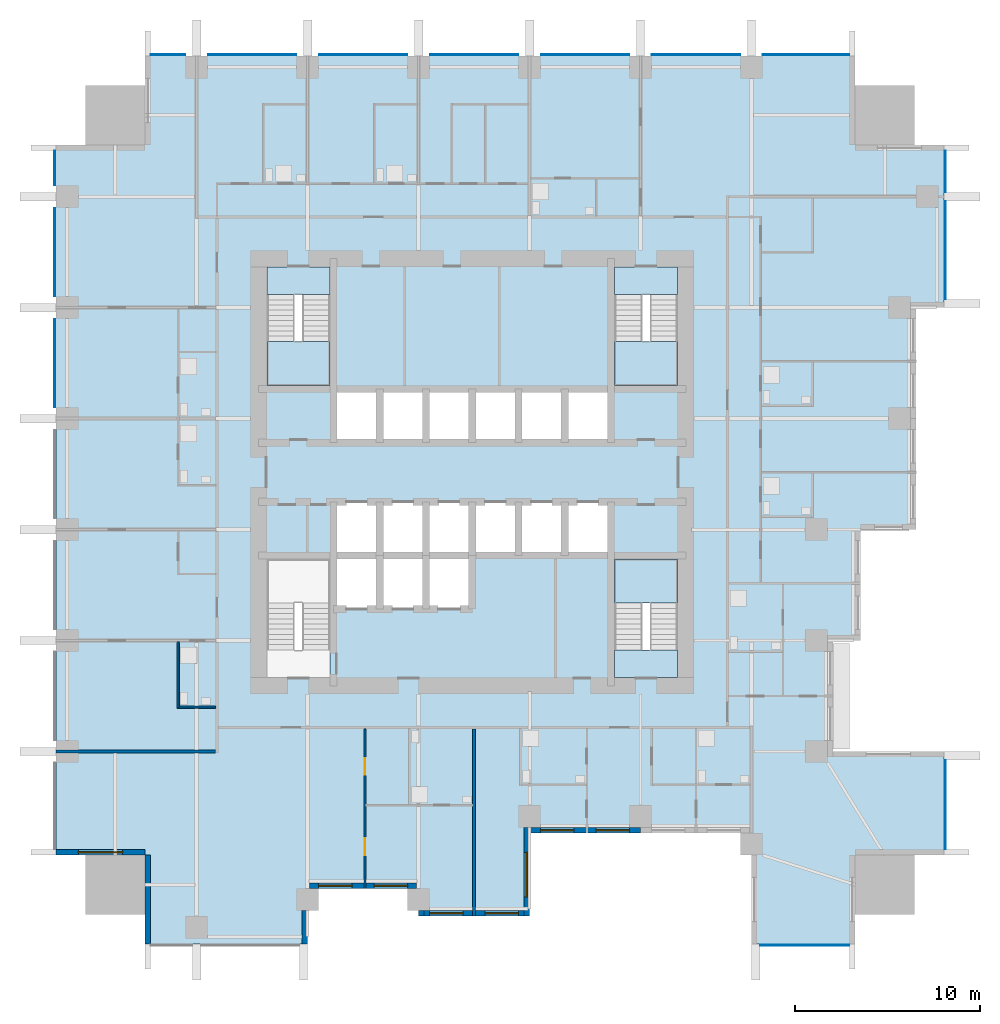
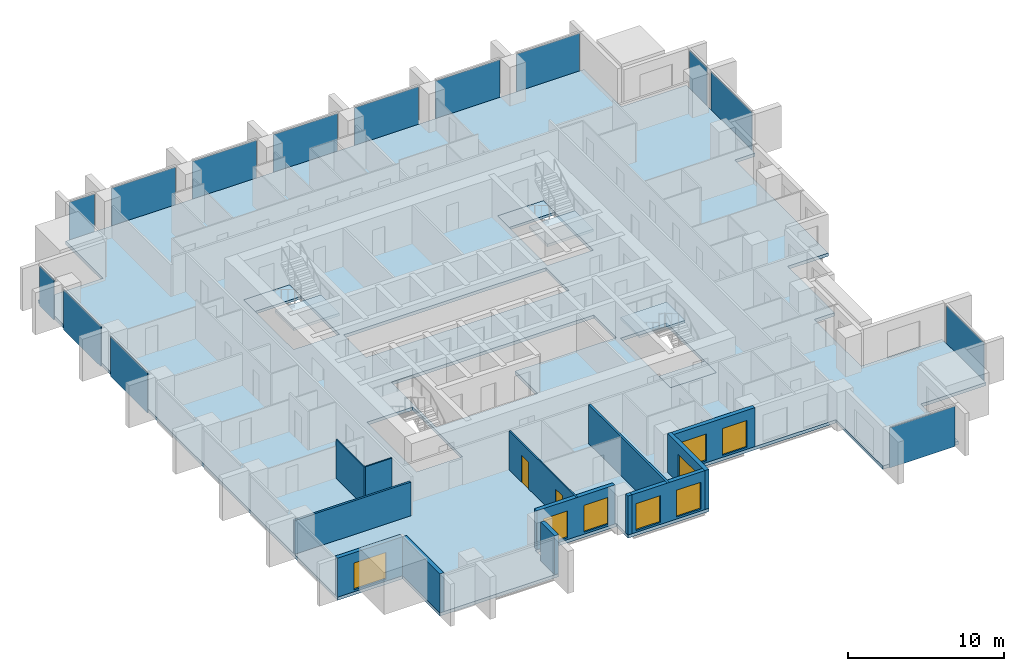
# One storey, part 3 of 10: 14 plates, 13 walls, 8 windows, 7 slabs, 2 doors, 10 openings, 8 elements without a shape of their own.
"""IFC4 building model written with IfcOpenShell, lengths in metres."""

from ifc_helpers import new_model, si_unit, direction, frame, frame_2d, origin, origin_2d, place, context, subcontext, project, spatial, polyline, rectangle, outline, extrude, material, layer, layer_set, type_object, element, fill, aggregate, save


model = new_model("IFC4")

# Units and contexts
model_context = context("Model", 3, precision=1e-05, world=origin(), true_north=direction((0.0, 1.0)))
body_context = subcontext(model_context, "Body", "Model", "MODEL_VIEW")
ifc_project = project(units=[si_unit("LENGTHUNIT", "METRE"), si_unit("AREAUNIT", "SQUARE_METRE"), si_unit("VOLUMEUNIT", "CUBIC_METRE"), si_unit("PLANEANGLEUNIT", "RADIAN"), si_unit("MASSUNIT", "GRAM", prefix="KILO")], contexts=[model_context])

# Site, building, storey
site_placement = place(None, origin())
site = spatial("IfcSite", under=ifc_project, at=site_placement, CompositionType="ELEMENT")
building_placement = place(site_placement, origin())
building = spatial("IfcBuilding", under=site, at=building_placement, Name="Amberfall Residences", CompositionType="ELEMENT")
storey_placement = place(building_placement, frame((0.0, 0.0, 46.60009765625)))
storey = spatial("IfcBuildingStorey", under=building, at=storey_placement, Name="L12", CompositionType="ELEMENT", Elevation=46.60009765625)

# Curtain wall, plate
ifc_material_1 = material(Name="Bronze anodised aluminium and glass", Category="aluminium")
curtain_wall_type = type_object("IfcCurtainWallType", Name="Curtain wall CW1 tower unit", PredefinedType="USERDEFINED", material=ifc_material_1)
curtain_wall_1_placement = place(storey_placement, origin())
curtain_wall_1 = element("IfcCurtainWall", 1, at=curtain_wall_1_placement, inside=storey, type_object=curtain_wall_type, Name="Curtain wall L12 S S10", ObjectType="UNITISED CURTAIN WALL", PredefinedType="USERDEFINED")
ifc_material_2 = material(Name="Tinted double glazed unit", Category="glass")
ifc_layer_1 = layer(ifc_material_2, 0.035888671875)
ifc_layer_set_1 = layer_set([ifc_layer_1], Name="CW1 panel 36 glazing")
plate_type = type_object("IfcPlateType", Name="CW1 panel 36 glazing", PredefinedType="CURTAIN_PANEL", material=ifc_layer_set_1)
plate_1_placement = place(storey_placement, frame((92.47509765625, 19.925048828125, -0.25), z_axis=(0.0, 0.0, 1.0), x_axis=(1.0, 0.0, 0.0)))
plate_1 = element("IfcPlate", 2, at=plate_1_placement, type_object=plate_type, Name="CW1 panel 1.1", PredefinedType="CURTAIN_PANEL", context=body_context, shape_type="SweptSolid", body=[
    extrude(rectangle(XDim=4.825927734375, YDim=0.035888671875, at=origin_2d()), origin(), (0.0, 0.0, 1.0), 3.14990234375),
])
aggregate(curtain_wall_1, [plate_1])

curtain_wall_2_placement = place(storey_placement, origin())
curtain_wall_2 = element("IfcCurtainWall", 3, at=curtain_wall_2_placement, inside=storey, type_object=curtain_wall_type, Name="Curtain wall L12 E E1", ObjectType="UNITISED CURTAIN WALL", PredefinedType="USERDEFINED")
plate_2_placement = place(storey_placement, frame((100.074951171875, 27.52490234375, -0.25), z_axis=(0.0, 0.0, 1.0), x_axis=(0.0, 1.0, 0.0)))
plate_2 = element("IfcPlate", 4, at=plate_2_placement, type_object=plate_type, Name="CW1 panel 1.1", PredefinedType="CURTAIN_PANEL", context=body_context, shape_type="SweptSolid", body=[
    extrude(rectangle(XDim=4.825927734375, YDim=0.035888671875, at=origin_2d()), origin(), (0.0, 0.0, 1.0), 3.14990234375),
])
aggregate(curtain_wall_2, [plate_2])

# Curtain wall, plates
curtain_wall_3_placement = place(storey_placement, origin())
curtain_wall_3 = element("IfcCurtainWall", 5, at=curtain_wall_3_placement, inside=storey, type_object=curtain_wall_type, Name="Curtain wall L12 E E10", ObjectType="UNITISED CURTAIN WALL", PredefinedType="USERDEFINED")
plate_3_placement = place(storey_placement, frame((100.074951171875, 57.512451171875, -0.25), z_axis=(0.0, 0.0, 1.0), x_axis=(0.0, 1.0, 0.0)))
plate_3 = element("IfcPlate", 6, at=plate_3_placement, type_object=plate_type, Name="CW1 panel 1.1", PredefinedType="CURTAIN_PANEL", context=body_context, shape_type="SweptSolid", body=[
    extrude(rectangle(XDim=5.301025390625, YDim=0.035888671875, at=origin_2d()), origin(), (0.0, 0.0, 1.0), 3.14990234375),
])
plate_4_placement = place(storey_placement, frame((100.074951171875, 61.762451171875, -0.25), z_axis=(0.0, 0.0, 1.0), x_axis=(0.0, 1.0, 0.0)))
plate_4 = element("IfcPlate", 7, at=plate_4_placement, type_object=plate_type, Name="CW1 panel 2.1", PredefinedType="CURTAIN_PANEL", context=body_context, shape_type="SweptSolid", body=[
    extrude(rectangle(XDim=2.2509765625, YDim=0.035888671875, at=origin_2d()), origin(), (0.0, 0.0, 1.0), 3.14990234375),
])
aggregate(curtain_wall_3, [plate_3, plate_4])

curtain_wall_4_placement = place(storey_placement, origin())
curtain_wall_4 = element("IfcCurtainWall", 8, at=curtain_wall_4_placement, inside=storey, type_object=curtain_wall_type, Name="Curtain wall L12 N N1", ObjectType="UNITISED CURTAIN WALL", PredefinedType="USERDEFINED")
plate_5_placement = place(storey_placement, frame((92.552490234375, 68.074951171875, -0.25), z_axis=(0.0, 0.0, 1.0), x_axis=(-1.0, 0.0, 0.0)))
plate_5 = element("IfcPlate", 9, at=plate_5_placement, type_object=plate_type, Name="CW1 panel 1.1", PredefinedType="CURTAIN_PANEL", context=body_context, shape_type="SweptSolid", body=[
    extrude(rectangle(XDim=4.6708984375, YDim=0.035888671875, at=origin_2d()), origin(), (0.0, 0.0, 1.0), 3.14990234375),
])
plate_6_placement = place(storey_placement, frame((86.60009765625, 68.074951171875, -0.25), z_axis=(0.0, 0.0, 1.0), x_axis=(-1.0, 0.0, 0.0)))
plate_6 = element("IfcPlate", 10, at=plate_6_placement, type_object=plate_type, Name="CW1 panel 2.1", PredefinedType="CURTAIN_PANEL", context=body_context, shape_type="SweptSolid", body=[
    extrude(rectangle(XDim=4.76611328125, YDim=0.035888671875, at=origin_2d()), origin(), (0.0, 0.0, 1.0), 3.14990234375),
])
plate_7_placement = place(storey_placement, frame((80.60009765625, 68.074951171875, -0.25), z_axis=(0.0, 0.0, 1.0), x_axis=(-1.0, 0.0, 0.0)))
plate_7 = element("IfcPlate", 11, at=plate_7_placement, type_object=plate_type, Name="CW1 panel 3.1", PredefinedType="CURTAIN_PANEL", context=body_context, shape_type="SweptSolid", body=[
    extrude(rectangle(XDim=4.76611328125, YDim=0.035888671875, at=origin_2d()), origin(), (0.0, 0.0, 1.0), 3.14990234375),
])
plate_8_placement = place(storey_placement, frame((74.60009765625, 68.074951171875, -0.25), z_axis=(0.0, 0.0, 1.0), x_axis=(-1.0, 0.0, 0.0)))
plate_8 = element("IfcPlate", 12, at=plate_8_placement, type_object=plate_type, Name="CW1 panel 4.1", PredefinedType="CURTAIN_PANEL", context=body_context, shape_type="SweptSolid", body=[
    extrude(rectangle(XDim=4.76611328125, YDim=0.035888671875, at=origin_2d()), origin(), (0.0, 0.0, 1.0), 3.14990234375),
])
plate_9_placement = place(storey_placement, frame((68.60009765625, 68.074951171875, -0.25), z_axis=(0.0, 0.0, 1.0), x_axis=(-1.0, 0.0, 0.0)))
plate_9 = element("IfcPlate", 13, at=plate_9_placement, type_object=plate_type, Name="CW1 panel 5.1", PredefinedType="CURTAIN_PANEL", context=body_context, shape_type="SweptSolid", body=[
    extrude(rectangle(XDim=4.76611328125, YDim=0.035888671875, at=origin_2d()), origin(), (0.0, 0.0, 1.0), 3.14990234375),
])
plate_10_placement = place(storey_placement, frame((62.60009765625, 68.074951171875, -0.25), z_axis=(0.0, 0.0, 1.0), x_axis=(-1.0, 0.0, 0.0)))
plate_10 = element("IfcPlate", 14, at=plate_10_placement, type_object=plate_type, Name="CW1 panel 6.1", PredefinedType="CURTAIN_PANEL", context=body_context, shape_type="SweptSolid", body=[
    extrude(rectangle(XDim=4.76611328125, YDim=0.035888671875, at=origin_2d()), origin(), (0.0, 0.0, 1.0), 3.14990234375),
])
plate_11_placement = place(storey_placement, frame((58.047607421875, 68.074951171875, -0.25), z_axis=(0.0, 0.0, 1.0), x_axis=(-1.0, 0.0, 0.0)))
plate_11 = element("IfcPlate", 15, at=plate_11_placement, type_object=plate_type, Name="CW1 panel 7.1", PredefinedType="CURTAIN_PANEL", context=body_context, shape_type="SweptSolid", body=[
    extrude(rectangle(XDim=1.87109375, YDim=0.035888671875, at=origin_2d()), origin(), (0.0, 0.0, 1.0), 3.14990234375),
])
aggregate(curtain_wall_4, [plate_5, plate_6, plate_7, plate_8, plate_9, plate_10, plate_11])

curtain_wall_5_placement = place(storey_placement, origin())
curtain_wall_5 = element("IfcCurtainWall", 16, at=curtain_wall_5_placement, inside=storey, type_object=curtain_wall_type, Name="Curtain wall L12 W W1", ObjectType="UNITISED CURTAIN WALL", PredefinedType="USERDEFINED")
plate_12_placement = place(storey_placement, frame((51.925048828125, 61.952392578125, -0.25), z_axis=(0.0, 0.0, 1.0), x_axis=(0.0, -1.0, 0.0)))
plate_12 = element("IfcPlate", 17, at=plate_12_placement, type_object=plate_type, Name="CW1 panel 1.1", PredefinedType="CURTAIN_PANEL", context=body_context, shape_type="SweptSolid", body=[
    extrude(rectangle(XDim=1.87109375, YDim=0.035888671875, at=origin_2d()), origin(), (0.0, 0.0, 1.0), 3.14990234375),
])
plate_13_placement = place(storey_placement, frame((51.925048828125, 57.39990234375, -0.25), z_axis=(0.0, 0.0, 1.0), x_axis=(0.0, -1.0, 0.0)))
plate_13 = element("IfcPlate", 18, at=plate_13_placement, type_object=plate_type, Name="CW1 panel 2.1", PredefinedType="CURTAIN_PANEL", context=body_context, shape_type="SweptSolid", body=[
    extrude(rectangle(XDim=4.76611328125, YDim=0.035888671875, at=origin_2d()), origin(), (0.0, 0.0, 1.0), 3.14990234375),
])
plate_14_placement = place(storey_placement, frame((51.925048828125, 51.39990234375, -0.25), z_axis=(0.0, 0.0, 1.0), x_axis=(0.0, -1.0, 0.0)))
plate_14 = element("IfcPlate", 19, at=plate_14_placement, type_object=plate_type, Name="CW1 panel 3.1", PredefinedType="CURTAIN_PANEL", context=body_context, shape_type="SweptSolid", body=[
    extrude(rectangle(XDim=4.76611328125, YDim=0.035888671875, at=origin_2d()), origin(), (0.0, 0.0, 1.0), 3.14990234375),
])
aggregate(curtain_wall_5, [plate_12, plate_13, plate_14])

# Slab
ifc_material_3 = material(Name="Concrete C80", Category="concrete")
ifc_layer_2 = layer(ifc_material_3, 0.25)
ifc_layer_set_2 = layer_set([ifc_layer_2], Name="Floor slab 250 C80")
slab_type_1 = type_object("IfcSlabType", Name="Floor slab 250 C80", PredefinedType="FLOOR", material=ifc_layer_set_2)
slab_1_placement = place(storey_placement, frame((0.0, 0.0, -0.25)))
element("IfcSlab", 20, at=slab_1_placement, inside=storey, type_object=slab_type_1, Name="Floor slab S3 L12", PredefinedType="FLOOR", context=body_context, shape_type="SweptSolid", body=[
    extrude(outline(polyline([(89.60009765625, 20.0), (89.60009765625, 26.0), (83.60009765625, 26.0), (77.60009765625, 26.0), (77.60009765625, 21.5), (71.60009765625, 21.5), (71.60009765625, 23.0), (65.60009765625, 23.0), (65.60009765625, 20.0), (56.800048828125, 20.0), (56.800048828125, 24.800048828125), (52.0, 24.800048828125), (52.0, 63.199951171875), (56.800048828125, 63.199951171875), (56.800048828125, 68.0), (95.199951171875, 68.0), (95.199951171875, 63.199951171875), (100.0, 63.199951171875), (100.0, 54.39990234375), (98.5, 54.39990234375), (98.5, 48.39990234375), (98.5, 42.39990234375), (95.5, 42.39990234375), (95.5, 36.39990234375), (94.0, 36.39990234375), (94.0, 30.39990234375), (100.0, 30.39990234375), (100.0, 24.800048828125), (95.199951171875, 24.800048828125), (95.199951171875, 20.0), (89.60009765625, 20.0)]), holes=[polyline([(85.60009765625, 34.39990234375), (85.60009765625, 40.800048828125), (82.199951171875, 40.800048828125), (82.199951171875, 34.39990234375), (85.60009765625, 34.39990234375)]), polyline([(82.199951171875, 50.199951171875), (85.60009765625, 50.199951171875), (85.60009765625, 56.60009765625), (82.199951171875, 56.60009765625), (82.199951171875, 50.199951171875)]), polyline([(69.5, 50.0), (67.0, 50.0), (67.0, 47.10009765625), (69.5, 47.10009765625), (72.0, 47.10009765625), (74.5, 47.10009765625), (77.0, 47.10009765625), (79.5, 47.10009765625), (82.0, 47.10009765625), (82.0, 50.0), (79.5, 50.0), (77.0, 50.0), (74.5, 50.0), (72.0, 50.0), (69.5, 50.0)]), polyline([(74.5, 41.0), (77.0, 41.0), (79.5, 41.0), (82.0, 41.0), (82.0, 43.89990234375), (79.5, 43.89990234375), (77.0, 43.89990234375), (74.5, 43.89990234375), (72.0, 43.89990234375), (69.5, 43.89990234375), (67.0, 43.89990234375), (67.0, 41.0), (67.0, 38.10009765625), (69.5, 38.10009765625), (72.0, 38.10009765625), (74.5, 38.10009765625), (74.5, 41.0)]), polyline([(66.800048828125, 34.39990234375), (66.800048828125, 40.800048828125), (63.39990234375, 40.800048828125), (63.39990234375, 34.39990234375), (66.800048828125, 34.39990234375)]), polyline([(66.800048828125, 50.199951171875), (66.800048828125, 56.60009765625), (63.39990234375, 56.60009765625), (63.39990234375, 50.199951171875), (66.800048828125, 50.199951171875)])]), origin(), (0.0, 0.0, 1.0), 0.25),
])

# Stair, slabs
ifc_material_4 = material(Name="Concrete C40", Category="concrete")
stair_type = type_object("IfcStairType", Name="Exit stair 20 risers 165.0 mm", PredefinedType="HALF_TURN_STAIR", material=ifc_material_4)
stair_1_placement = place(storey_placement, origin())
stair_1 = element("IfcStair", 21, at=stair_1_placement, inside=storey, type_object=stair_type, Name="L12 Exit stair 2", PredefinedType="HALF_TURN_STAIR")
ifc_layer_3 = layer(ifc_material_4, 0.199951171875)
ifc_layer_set_3 = layer_set([ifc_layer_3], Name="Stair landing 200")
slab_type_2 = type_object("IfcSlabType", Name="Stair landing 200", PredefinedType="LANDING", material=ifc_layer_set_3)
slab_2_placement = place(storey_placement, frame((0.0, 0.0, 1.449951171875)))
slab_2 = element("IfcSlab", 22, at=slab_2_placement, type_object=slab_type_2, Name="ST3 landing 1", PredefinedType="LANDING", context=body_context, shape_type="SweptSolid", body=[
    extrude(outline(polyline([(85.60009765625, 38.419921875), (85.60009765625, 40.800048828125), (82.199951171875, 40.800048828125), (82.199951171875, 38.419921875), (85.60009765625, 38.419921875)])), origin(), (0.0, 0.0, 1.0), 0.199951171875),
])
slab_3_placement = place(storey_placement, frame((0.0, 0.0, -0.2001953125)))
slab_3 = element("IfcSlab", 23, at=slab_3_placement, type_object=slab_type_2, Name="ST3 landing 2", PredefinedType="LANDING", context=body_context, shape_type="SweptSolid", body=[
    extrude(outline(polyline([(85.60009765625, 34.39990234375), (85.60009765625, 35.89990234375), (82.199951171875, 35.89990234375), (82.199951171875, 34.39990234375), (85.60009765625, 34.39990234375)])), origin(), (0.0, 0.0, 1.0), 0.2001953125),
])
aggregate(stair_1, [slab_2, slab_3])

stair_2_placement = place(storey_placement, origin())
stair_2 = element("IfcStair", 24, at=stair_2_placement, inside=storey, type_object=stair_type, Name="L12 Exit stair 3", PredefinedType="HALF_TURN_STAIR")
slab_4_placement = place(storey_placement, frame((0.0, 0.0, 1.449951171875)))
slab_4 = element("IfcSlab", 25, at=slab_4_placement, type_object=slab_type_2, Name="ST3 landing 1", PredefinedType="LANDING", context=body_context, shape_type="SweptSolid", body=[
    extrude(outline(polyline([(82.199951171875, 52.580078125), (82.199951171875, 50.199951171875), (85.60009765625, 50.199951171875), (85.60009765625, 52.580078125), (82.199951171875, 52.580078125)])), origin(), (0.0, 0.0, 1.0), 0.199951171875),
])
slab_5_placement = place(storey_placement, frame((0.0, 0.0, -0.2001953125)))
slab_5 = element("IfcSlab", 26, at=slab_5_placement, type_object=slab_type_2, Name="ST3 landing 2", PredefinedType="LANDING", context=body_context, shape_type="SweptSolid", body=[
    extrude(outline(polyline([(82.199951171875, 56.60009765625), (82.199951171875, 55.10009765625), (85.60009765625, 55.10009765625), (85.60009765625, 56.60009765625), (82.199951171875, 56.60009765625)])), origin(), (0.0, 0.0, 1.0), 0.2001953125),
])
aggregate(stair_2, [slab_4, slab_5])

stair_3_placement = place(storey_placement, origin())
stair_3 = element("IfcStair", 27, at=stair_3_placement, inside=storey, type_object=stair_type, Name="L12 Exit stair 4", PredefinedType="HALF_TURN_STAIR")
slab_6_placement = place(storey_placement, frame((0.0, 0.0, 1.449951171875)))
slab_6 = element("IfcSlab", 28, at=slab_6_placement, type_object=slab_type_2, Name="ST3 landing 1", PredefinedType="LANDING", context=body_context, shape_type="SweptSolid", body=[
    extrude(outline(polyline([(63.39990234375, 52.580078125), (63.39990234375, 50.199951171875), (66.800048828125, 50.199951171875), (66.800048828125, 52.580078125), (63.39990234375, 52.580078125)])), origin(), (0.0, 0.0, 1.0), 0.199951171875),
])
slab_7_placement = place(storey_placement, frame((0.0, 0.0, -0.2001953125)))
slab_7 = element("IfcSlab", 29, at=slab_7_placement, type_object=slab_type_2, Name="ST3 landing 2", PredefinedType="LANDING", context=body_context, shape_type="SweptSolid", body=[
    extrude(outline(polyline([(63.39990234375, 56.60009765625), (63.39990234375, 55.10009765625), (66.800048828125, 55.10009765625), (66.800048828125, 56.60009765625), (63.39990234375, 56.60009765625)])), origin(), (0.0, 0.0, 1.0), 0.2001953125),
])
aggregate(stair_3, [slab_6, slab_7])

# Walls
ifc_material_5 = material(Name="Pale stone cladding on insulated backing", Category="masonry")
ifc_layer_4 = layer(ifc_material_5, 0.300048828125)
ifc_layer_set_4 = layer_set([ifc_layer_4], Name="Bronze clad wall 300")
wall_type_1 = type_object("IfcWallType", Name="Bronze clad wall 300", PredefinedType="SOLIDWALL", material=ifc_layer_set_4)
wall_1_placement = place(storey_placement, frame((65.449951171875, 20.0, 0.0), z_axis=(0.0, 0.0, 1.0), x_axis=(0.0, 1.0, 0.0)))
element("IfcWall", 30, at=wall_1_placement, inside=storey, type_object=wall_type_1, Name="External wall L12 S", PredefinedType="SOLIDWALL", context=body_context, shape_type="SweptSolid", body=[
    extrude(rectangle(XDim=1.800048828125, YDim=0.300048828125, at=frame_2d((0.89990234375, 0.0))), origin(), (0.0, 0.0, 1.0), 3.0498046875),
])
wall_2_placement = place(storey_placement, frame((71.75, 21.800048828125, 0.0), z_axis=(0.0, 0.0, 1.0), x_axis=(0.0, -1.0, 0.0)))
element("IfcWall", 31, at=wall_2_placement, inside=storey, type_object=wall_type_1, Name="External wall L12 S", PredefinedType="SOLIDWALL", context=body_context, shape_type="SweptSolid", body=[
    extrude(rectangle(XDim=0.300048828125, YDim=0.300048828125, at=frame_2d((0.14990234375, 0.0))), origin(), (0.0, 0.0, 1.0), 3.0498046875),
])

# Wall, opening, window
wall_3_placement = place(storey_placement, frame((77.449951171875, 21.5, 0.0), z_axis=(0.0, 0.0, 1.0), x_axis=(0.0, 1.0, 0.0)))
wall_3 = element("IfcWall", 32, at=wall_3_placement, inside=storey, type_object=wall_type_1, Name="External wall L12 S", PredefinedType="SOLIDWALL", context=body_context, shape_type="SweptSolid", body=[
    extrude(rectangle(XDim=4.800048828125, YDim=0.300048828125, at=frame_2d((2.39990234375, 0.0))), origin(), (0.0, 0.0, 1.0), 3.0498046875),
])
opening_1_placement = place(wall_3_placement, frame((1.050048828125, 0.0, 0.14990234375)))
opening_1 = element("IfcOpeningElement", 33, at=opening_1_placement, cuts=wall_3, Name="Opening WN5", PredefinedType="OPENING", context=body_context, shape_type="SweptSolid", body=[
    extrude(rectangle(XDim=2.39990234375, YDim=2.10009765625, at=frame_2d((1.199951171875, 1.050048828125))), frame((0.0, 0.159912109375, 0.0), z_axis=(0.0, -1.0, 0.0), x_axis=(1.0, 0.0, 0.0)), (0.0, 0.0, 1.0), 0.320068359375),
])
ifc_material_6 = material(Name="Bronze aluminium framed glazing", Category="aluminium")
window_type_1 = type_object("IfcWindowType", Name="Glazed opening 2400 x 2100 bronze", PartitioningType="DOUBLE_PANEL_VERTICAL", PredefinedType="WINDOW", material=ifc_material_6)
window_1_placement = place(opening_1_placement, origin())
window_1 = element("IfcWindow", 34, at=window_1_placement, inside=storey, type_object=window_type_1, Name="Window L12 S", OverallHeight=2.10009765625, OverallWidth=2.39990234375, PartitioningType="DOUBLE_PANEL_VERTICAL", PredefinedType="WINDOW", context=body_context, shape_type="SweptSolid", body=[
    extrude(rectangle(XDim=2.39990234375, YDim=2.10009765625, at=frame_2d((1.199951171875, 1.050048828125))), frame((0.0, 0.030029296875, 0.0), z_axis=(0.0, -1.0, 0.0), x_axis=(1.0, 0.0, 0.0)), (0.0, 0.0, 1.0), 0.06005859375),
])
fill(opening_1, window_1)

wall_4_placement = place(storey_placement, frame((52.0, 24.949951171875, 0.0), z_axis=(0.0, 0.0, 1.0), x_axis=(1.0, 0.0, 0.0)))
wall_4 = element("IfcWall", 35, at=wall_4_placement, inside=storey, type_object=wall_type_1, Name="External wall L12 SW", PredefinedType="SOLIDWALL", context=body_context, shape_type="SweptSolid", body=[
    extrude(rectangle(XDim=4.800048828125, YDim=0.300048828125, at=frame_2d((2.39990234375, 0.0))), origin(), (0.0, 0.0, 1.0), 3.0498046875),
])
opening_2_placement = place(wall_4_placement, frame((1.199951171875, 0.0, 0.14990234375)))
opening_2 = element("IfcOpeningElement", 36, at=opening_2_placement, cuts=wall_4, Name="Opening WN5", PredefinedType="OPENING", context=body_context, shape_type="SweptSolid", body=[
    extrude(rectangle(XDim=2.39990234375, YDim=2.10009765625, at=frame_2d((1.199951171875, 1.050048828125))), frame((0.0, 0.159912109375, 0.0), z_axis=(0.0, -1.0, 0.0), x_axis=(1.0, 0.0, 0.0)), (0.0, 0.0, 1.0), 0.320068359375),
])
window_2_placement = place(opening_2_placement, origin())
window_2 = element("IfcWindow", 37, at=window_2_placement, inside=storey, type_object=window_type_1, Name="Window L12 SW", OverallHeight=2.10009765625, OverallWidth=2.39990234375, PartitioningType="DOUBLE_PANEL_VERTICAL", PredefinedType="WINDOW", context=body_context, shape_type="SweptSolid", body=[
    extrude(rectangle(XDim=2.39990234375, YDim=2.10009765625, at=frame_2d((1.199951171875, 1.050048828125))), frame((0.0, 0.030029296875, 0.0), z_axis=(0.0, -1.0, 0.0), x_axis=(1.0, 0.0, 0.0)), (0.0, 0.0, 1.0), 0.06005859375),
])
fill(opening_2, window_2)

# Wall
wall_5_placement = place(storey_placement, frame((56.949951171875, 24.800048828125, 0.0), z_axis=(0.0, 0.0, 1.0), x_axis=(0.0, -1.0, 0.0)))
element("IfcWall", 38, at=wall_5_placement, inside=storey, type_object=wall_type_1, Name="External wall L12 SW", PredefinedType="SOLIDWALL", context=body_context, shape_type="SweptSolid", body=[
    extrude(rectangle(XDim=4.800048828125, YDim=0.300048828125, at=frame_2d((2.39990234375, 0.0))), origin(), (0.0, 0.0, 1.0), 3.0498046875),
])

# Wall, openings, windows
wall_6_placement = place(storey_placement, frame((65.7099609375, 23.14990234375, 0.0), z_axis=(0.0, 0.0, 1.0), x_axis=(1.0, 0.0, 0.0)))
wall_6 = element("IfcWall", 39, at=wall_6_placement, inside=storey, type_object=wall_type_1, Name="Stone wall L12 S", PredefinedType="SOLIDWALL", context=body_context, shape_type="SweptSolid", body=[
    extrude(rectangle(XDim=5.780029296875, YDim=0.300048828125, at=frame_2d((2.89013671875, 0.0))), origin(), (0.0, 0.0, 1.0), 3.0498046875),
])
opening_3_placement = place(wall_6_placement, frame((0.489990234375, 0.0, 0.14990234375)))
opening_3 = element("IfcOpeningElement", 40, at=opening_3_placement, cuts=wall_6, Name="Opening WN6", PredefinedType="OPENING", context=body_context, shape_type="SweptSolid", body=[
    extrude(rectangle(XDim=1.800048828125, YDim=2.10009765625, at=frame_2d((0.89990234375, 1.050048828125))), frame((0.0, 0.159912109375, 0.0), z_axis=(0.0, -1.0, 0.0), x_axis=(1.0, 0.0, 0.0)), (0.0, 0.0, 1.0), 0.320068359375),
])
opening_4_placement = place(wall_6_placement, frame((3.489990234375, 0.0, 0.14990234375)))
opening_4 = element("IfcOpeningElement", 41, at=opening_4_placement, cuts=wall_6, Name="Opening WN6", PredefinedType="OPENING", context=body_context, shape_type="SweptSolid", body=[
    extrude(rectangle(XDim=1.800048828125, YDim=2.10009765625, at=frame_2d((0.89990234375, 1.050048828125))), frame((0.0, 0.159912109375, 0.0), z_axis=(0.0, -1.0, 0.0), x_axis=(1.0, 0.0, 0.0)), (0.0, 0.0, 1.0), 0.320068359375),
])
window_type_2 = type_object("IfcWindowType", Name="Glazed opening 1800 x 2100 bronze", PartitioningType="DOUBLE_PANEL_VERTICAL", PredefinedType="WINDOW", material=ifc_material_6)
window_3_placement = place(opening_3_placement, origin())
window_3 = element("IfcWindow", 42, at=window_3_placement, inside=storey, type_object=window_type_2, Name="Window L12 S", OverallHeight=2.10009765625, OverallWidth=1.800048828125, PartitioningType="DOUBLE_PANEL_VERTICAL", PredefinedType="WINDOW", context=body_context, shape_type="SweptSolid", body=[
    extrude(rectangle(XDim=1.800048828125, YDim=2.10009765625, at=frame_2d((0.89990234375, 1.050048828125))), frame((0.0, 0.030029296875, 0.0), z_axis=(0.0, -1.0, 0.0), x_axis=(1.0, 0.0, 0.0)), (0.0, 0.0, 1.0), 0.06005859375),
])
fill(opening_3, window_3)
window_4_placement = place(opening_4_placement, origin())
window_4 = element("IfcWindow", 43, at=window_4_placement, inside=storey, type_object=window_type_2, Name="Window L12 S", OverallHeight=2.10009765625, OverallWidth=1.800048828125, PartitioningType="DOUBLE_PANEL_VERTICAL", PredefinedType="WINDOW", context=body_context, shape_type="SweptSolid", body=[
    extrude(rectangle(XDim=1.800048828125, YDim=2.10009765625, at=frame_2d((0.89990234375, 1.050048828125))), frame((0.0, 0.030029296875, 0.0), z_axis=(0.0, -1.0, 0.0), x_axis=(1.0, 0.0, 0.0)), (0.0, 0.0, 1.0), 0.06005859375),
])
fill(opening_4, window_4)

wall_7_placement = place(storey_placement, frame((71.89990234375, 21.64990234375, 0.0), z_axis=(0.0, 0.0, 1.0), x_axis=(1.0, 0.0, 0.0)))
wall_7 = element("IfcWall", 44, at=wall_7_placement, inside=storey, type_object=wall_type_1, Name="Stone wall L12 S", PredefinedType="SOLIDWALL", context=body_context, shape_type="SweptSolid", body=[
    extrude(rectangle(XDim=5.400146484375, YDim=0.300048828125, at=frame_2d((2.7001953125, 0.0))), origin(), (0.0, 0.0, 1.0), 3.0498046875),
])
opening_5_placement = place(wall_7_placement, frame((0.300048828125, 0.0, 0.14990234375)))
opening_5 = element("IfcOpeningElement", 45, at=opening_5_placement, cuts=wall_7, Name="Opening WN6", PredefinedType="OPENING", context=body_context, shape_type="SweptSolid", body=[
    extrude(rectangle(XDim=1.800048828125, YDim=2.10009765625, at=frame_2d((0.89990234375, 1.050048828125))), frame((0.0, 0.159912109375, 0.0), z_axis=(0.0, -1.0, 0.0), x_axis=(1.0, 0.0, 0.0)), (0.0, 0.0, 1.0), 0.320068359375),
])
opening_6_placement = place(wall_7_placement, frame((3.300048828125, 0.0, 0.14990234375)))
opening_6 = element("IfcOpeningElement", 46, at=opening_6_placement, cuts=wall_7, Name="Opening WN6", PredefinedType="OPENING", context=body_context, shape_type="SweptSolid", body=[
    extrude(rectangle(XDim=1.800048828125, YDim=2.10009765625, at=frame_2d((0.89990234375, 1.050048828125))), frame((0.0, 0.159912109375, 0.0), z_axis=(0.0, -1.0, 0.0), x_axis=(1.0, 0.0, 0.0)), (0.0, 0.0, 1.0), 0.320068359375),
])
window_5_placement = place(opening_5_placement, origin())
window_5 = element("IfcWindow", 47, at=window_5_placement, inside=storey, type_object=window_type_2, Name="Window L12 S", OverallHeight=2.10009765625, OverallWidth=1.800048828125, PartitioningType="DOUBLE_PANEL_VERTICAL", PredefinedType="WINDOW", context=body_context, shape_type="SweptSolid", body=[
    extrude(rectangle(XDim=1.800048828125, YDim=2.10009765625, at=frame_2d((0.89990234375, 1.050048828125))), frame((0.0, 0.030029296875, 0.0), z_axis=(0.0, -1.0, 0.0), x_axis=(1.0, 0.0, 0.0)), (0.0, 0.0, 1.0), 0.06005859375),
])
fill(opening_5, window_5)
window_6_placement = place(opening_6_placement, origin())
window_6 = element("IfcWindow", 48, at=window_6_placement, inside=storey, type_object=window_type_2, Name="Window L12 S", OverallHeight=2.10009765625, OverallWidth=1.800048828125, PartitioningType="DOUBLE_PANEL_VERTICAL", PredefinedType="WINDOW", context=body_context, shape_type="SweptSolid", body=[
    extrude(rectangle(XDim=1.800048828125, YDim=2.10009765625, at=frame_2d((0.89990234375, 1.050048828125))), frame((0.0, 0.030029296875, 0.0), z_axis=(0.0, -1.0, 0.0), x_axis=(1.0, 0.0, 0.0)), (0.0, 0.0, 1.0), 0.06005859375),
])
fill(opening_6, window_6)

wall_8_placement = place(storey_placement, frame((77.60009765625, 26.14990234375, 0.0), z_axis=(0.0, 0.0, 1.0), x_axis=(1.0, 0.0, 0.0)))
wall_8 = element("IfcWall", 49, at=wall_8_placement, inside=storey, type_object=wall_type_1, Name="Stone wall L12 S", PredefinedType="SOLIDWALL", context=body_context, shape_type="SweptSolid", body=[
    extrude(rectangle(XDim=6.0, YDim=0.300048828125, at=frame_2d((3.0, 0.0))), origin(), (0.0, 0.0, 1.0), 3.0498046875),
])
opening_7_placement = place(wall_8_placement, frame((0.60009765625, 0.0, 0.14990234375)))
opening_7 = element("IfcOpeningElement", 50, at=opening_7_placement, cuts=wall_8, Name="Opening WN6", PredefinedType="OPENING", context=body_context, shape_type="SweptSolid", body=[
    extrude(rectangle(XDim=1.800048828125, YDim=2.10009765625, at=frame_2d((0.89990234375, 1.050048828125))), frame((0.0, 0.159912109375, 0.0), z_axis=(0.0, -1.0, 0.0), x_axis=(1.0, 0.0, 0.0)), (0.0, 0.0, 1.0), 0.320068359375),
])
opening_8_placement = place(wall_8_placement, frame((3.60009765625, 0.0, 0.14990234375)))
opening_8 = element("IfcOpeningElement", 51, at=opening_8_placement, cuts=wall_8, Name="Opening WN6", PredefinedType="OPENING", context=body_context, shape_type="SweptSolid", body=[
    extrude(rectangle(XDim=1.800048828125, YDim=2.10009765625, at=frame_2d((0.89990234375, 1.050048828125))), frame((0.0, 0.159912109375, 0.0), z_axis=(0.0, -1.0, 0.0), x_axis=(1.0, 0.0, 0.0)), (0.0, 0.0, 1.0), 0.320068359375),
])
window_7_placement = place(opening_7_placement, origin())
window_7 = element("IfcWindow", 52, at=window_7_placement, inside=storey, type_object=window_type_2, Name="Window L12 S", OverallHeight=2.10009765625, OverallWidth=1.800048828125, PartitioningType="DOUBLE_PANEL_VERTICAL", PredefinedType="WINDOW", context=body_context, shape_type="SweptSolid", body=[
    extrude(rectangle(XDim=1.800048828125, YDim=2.10009765625, at=frame_2d((0.89990234375, 1.050048828125))), frame((0.0, 0.030029296875, 0.0), z_axis=(0.0, -1.0, 0.0), x_axis=(1.0, 0.0, 0.0)), (0.0, 0.0, 1.0), 0.06005859375),
])
fill(opening_7, window_7)
window_8_placement = place(opening_8_placement, origin())
window_8 = element("IfcWindow", 53, at=window_8_placement, inside=storey, type_object=window_type_2, Name="Window L12 S", OverallHeight=2.10009765625, OverallWidth=1.800048828125, PartitioningType="DOUBLE_PANEL_VERTICAL", PredefinedType="WINDOW", context=body_context, shape_type="SweptSolid", body=[
    extrude(rectangle(XDim=1.800048828125, YDim=2.10009765625, at=frame_2d((0.89990234375, 1.050048828125))), frame((0.0, 0.030029296875, 0.0), z_axis=(0.0, -1.0, 0.0), x_axis=(1.0, 0.0, 0.0)), (0.0, 0.0, 1.0), 0.06005859375),
])
fill(opening_8, window_8)

# Wall
ifc_material_7 = material(Name="Gypsum board on metal stud")
ifc_layer_5 = layer(ifc_material_7, 0.10009765625)
ifc_layer_set_5 = layer_set([ifc_layer_5], Name="Flat partition 100")
wall_type_2 = type_object("IfcWallType", Name="Flat partition 100", PredefinedType="PARTITIONING", material=ifc_layer_set_5)
wall_9_placement = place(storey_placement, frame((58.60009765625, 32.75, 0.0), z_axis=(0.0, 0.0, 1.0), x_axis=(0.0, 1.0, 0.0)))
element("IfcWall", 54, at=wall_9_placement, inside=storey, type_object=wall_type_2, Name="Partition 001", PredefinedType="PARTITIONING", context=body_context, shape_type="SweptSolid", body=[
    extrude(rectangle(XDim=3.60009765625, YDim=0.10009765625, at=frame_2d((1.800048828125, 0.0))), origin(), (0.0, 0.0, 1.0), 3.0498046875),
])

# Wall, openings, doors
wall_10_placement = place(storey_placement, frame((68.699951171875, 31.625, 0.0), z_axis=(0.0, 0.0, 1.0), x_axis=(0.0, -1.0, 0.0)))
wall_10 = element("IfcWall", 55, at=wall_10_placement, inside=storey, type_object=wall_type_2, Name="Partition 007", PredefinedType="PARTITIONING", context=body_context, shape_type="SweptSolid", body=[
    extrude(rectangle(XDim=8.625, YDim=0.10009765625, at=frame_2d((4.3125, 0.0))), origin(), (0.0, 0.0, 1.0), 3.0498046875),
])
opening_9_placement = place(wall_10_placement, frame((1.574951171875, 0.0, 0.0)))
opening_9 = element("IfcOpeningElement", 56, at=opening_9_placement, cuts=wall_10, Name="Opening D41", PredefinedType="OPENING", context=body_context, shape_type="SweptSolid", body=[
    extrude(rectangle(XDim=0.89990234375, YDim=2.10009765625, at=frame_2d((0.449951171875, 1.050048828125))), frame((0.0, 0.06005859375, 0.0), z_axis=(0.0, -1.0, 0.0), x_axis=(1.0, 0.0, 0.0)), (0.0, 0.0, 1.0), 0.1201171875),
])
opening_10_placement = place(wall_10_placement, frame((5.925048828125, 0.0, 0.0)))
opening_10 = element("IfcOpeningElement", 57, at=opening_10_placement, cuts=wall_10, Name="Opening D41", PredefinedType="OPENING", context=body_context, shape_type="SweptSolid", body=[
    extrude(rectangle(XDim=0.89990234375, YDim=2.10009765625, at=frame_2d((0.449951171875, 1.050048828125))), frame((0.0, 0.06005859375, 0.0), z_axis=(0.0, -1.0, 0.0), x_axis=(1.0, 0.0, 0.0)), (0.0, 0.0, 1.0), 0.1201171875),
])
ifc_material_8 = material(Name="Timber", Category="wood")
door_type = type_object("IfcDoorType", Name="Internal door 900 x 2100", OperationType="SINGLE_SWING_LEFT", PredefinedType="DOOR", material=ifc_material_8)
door_1_placement = place(opening_9_placement, origin())
door_1 = element("IfcDoor", 58, at=door_1_placement, inside=storey, type_object=door_type, Name="Door 1201 kitchen", OperationType="SINGLE_SWING_LEFT", OverallHeight=2.10009765625, OverallWidth=0.89990234375, PredefinedType="DOOR", context=body_context, shape_type="SweptSolid", body=[
    extrude(rectangle(XDim=0.89990234375, YDim=2.10009765625, at=frame_2d((0.449951171875, 1.050048828125))), frame((0.0, 0.02490234375, 0.0), z_axis=(0.0, -1.0, 0.0), x_axis=(1.0, 0.0, 0.0)), (0.0, 0.0, 1.0), 0.050048828125),
])
fill(opening_9, door_1)
door_2_placement = place(opening_10_placement, origin())
door_2 = element("IfcDoor", 59, at=door_2_placement, inside=storey, type_object=door_type, Name="Door 1201 bedroom1", OperationType="SINGLE_SWING_LEFT", OverallHeight=2.10009765625, OverallWidth=0.89990234375, PredefinedType="DOOR", context=body_context, shape_type="SweptSolid", body=[
    extrude(rectangle(XDim=0.89990234375, YDim=2.10009765625, at=frame_2d((0.449951171875, 1.050048828125))), frame((0.0, 0.02490234375, 0.0), z_axis=(0.0, -1.0, 0.0), x_axis=(1.0, 0.0, 0.0)), (0.0, 0.0, 1.0), 0.050048828125),
])
fill(opening_10, door_2)

# Walls
wall_11_placement = place(storey_placement, frame((58.64990234375, 32.800048828125, 0.0), z_axis=(0.0, 0.0, 1.0), x_axis=(1.0, 0.0, 0.0)))
element("IfcWall", 60, at=wall_11_placement, inside=storey, type_object=wall_type_2, Name="Partition 043", PredefinedType="PARTITIONING", context=body_context, shape_type="SweptSolid", body=[
    extrude(rectangle(XDim=1.97509765625, YDim=0.10009765625, at=frame_2d((0.987548828125, 0.0))), origin(), (0.0, 0.0, 1.0), 3.0498046875),
])
ifc_material_9 = material(Name="Blockwork, plastered", Category="masonry")
ifc_layer_6 = layer(ifc_material_9, 0.14990234375)
ifc_layer_set_6 = layer_set([ifc_layer_6], Name="Flat separating wall 150")
wall_type_3 = type_object("IfcWallType", Name="Flat separating wall 150", PredefinedType="PARTITIONING", material=ifc_layer_set_6)
wall_12_placement = place(storey_placement, frame((74.60009765625, 21.5, 0.0), z_axis=(0.0, 0.0, 1.0), x_axis=(0.0, 1.0, 0.0)))
element("IfcWall", 61, at=wall_12_placement, inside=storey, type_object=wall_type_3, Name="Separating wall 049", PredefinedType="PARTITIONING", context=body_context, shape_type="SweptSolid", body=[
    extrude(rectangle(XDim=10.125, YDim=0.14990234375, at=frame_2d((5.0625, 0.0))), origin(), (0.0, 0.0, 1.0), 3.0498046875),
])
wall_13_placement = place(storey_placement, frame((52.0, 30.39990234375, 0.0), z_axis=(0.0, 0.0, 1.0), x_axis=(1.0, 0.0, 0.0)))
element("IfcWall", 62, at=wall_13_placement, inside=storey, type_object=wall_type_3, Name="Separating wall 058", PredefinedType="PARTITIONING", context=body_context, shape_type="SweptSolid", body=[
    extrude(rectangle(XDim=8.625, YDim=0.14990234375, at=frame_2d((4.3125, 0.0))), origin(), (0.0, 0.0, 1.0), 2.64697265625),
])

save(model, "model.ifc")
